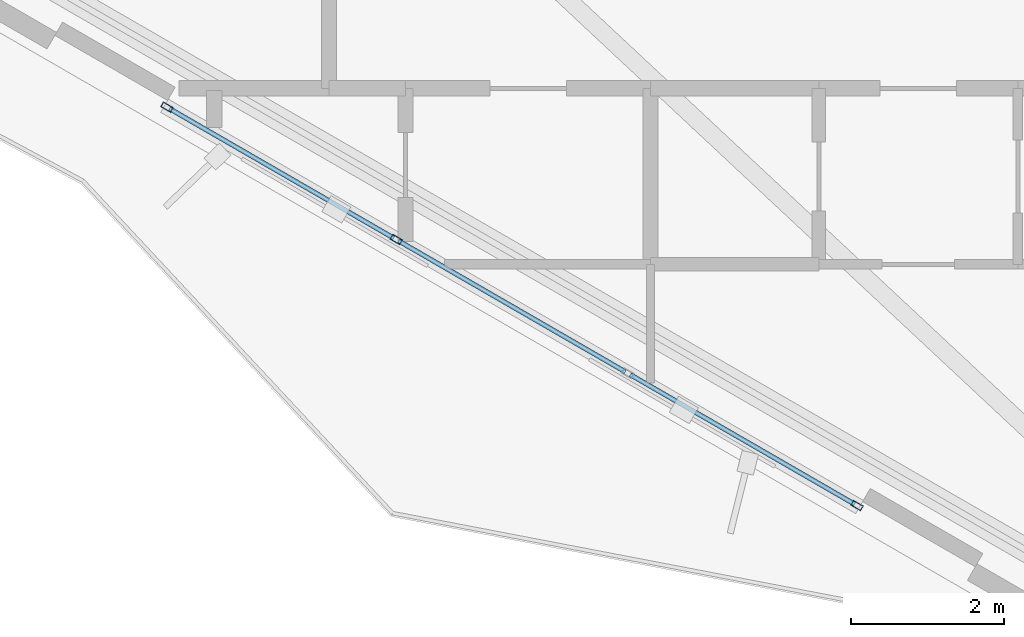
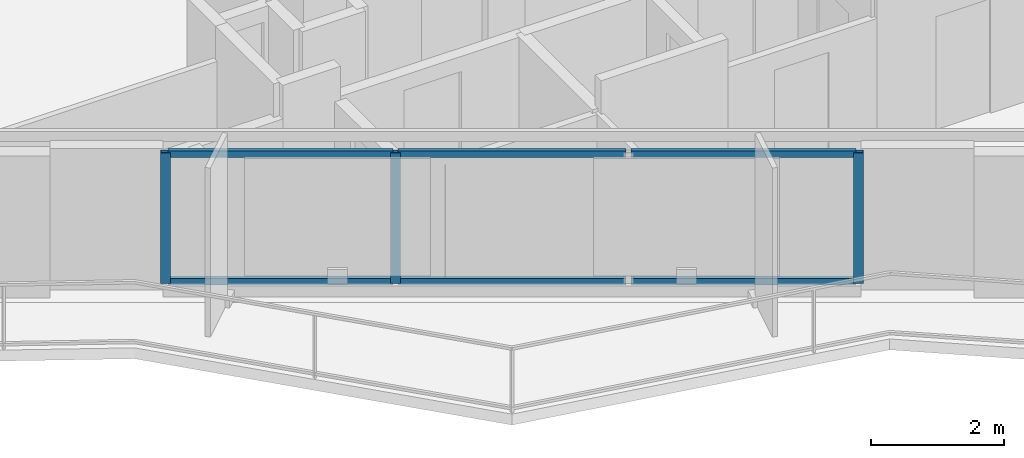
# One storey, part 2 of 18: 9 members, 1 element without a shape of its own.
"""IFC4 building model written with IfcOpenShell, lengths in metres."""

from ifc_helpers import new_model, si_unit, direction, frame, origin, origin_2d, place, context, subcontext, project, spatial, hollow_rectangle, extrude, material, layer, layer_set, material_profile, profile_set, type_object, element, aggregate, save


model = new_model("IFC4")

# Units and contexts
model_context = context("Model", 3, precision=1e-05, world=origin(), true_north=direction((0.0, 1.0)))
body_context = subcontext(model_context, "Body", "Model", "MODEL_VIEW")
ifc_project = project(units=[si_unit("LENGTHUNIT", "METRE"), si_unit("AREAUNIT", "SQUARE_METRE"), si_unit("VOLUMEUNIT", "CUBIC_METRE"), si_unit("PLANEANGLEUNIT", "RADIAN"), si_unit("MASSUNIT", "GRAM", prefix="KILO")], contexts=[model_context])

# Site, building, storey
site_placement = place(None, origin())
site = spatial("IfcSite", under=ifc_project, at=site_placement, CompositionType="ELEMENT")
building_placement = place(site_placement, origin())
building = spatial("IfcBuilding", under=site, at=building_placement, Name="Mersakhor Tower and Convention Hall", CompositionType="ELEMENT")
storey_placement = place(building_placement, frame((0.0, 0.0, 157.5)))
storey = spatial("IfcBuildingStorey", under=building, at=storey_placement, Name="L44", CompositionType="ELEMENT", Elevation=157.5)

# Curtain wall, members
ifc_material_1 = material(Name="Dark solar low-E aluminium curtain wall", Category="aluminium")
ifc_layer = layer(ifc_material_1, 0.169921875)
ifc_layer_set = layer_set([ifc_layer], Name="Dark solar low-E aluminium curtain wall")
curtain_wall_type = type_object("IfcCurtainWallType", Name="CW-SYS-02", PredefinedType="USERDEFINED", material=ifc_layer_set)
curtain_wall_placement = place(storey_placement, origin())
curtain_wall = element("IfcCurtainWall", 1, at=curtain_wall_placement, inside=storey, type_object=curtain_wall_type, Name="L44 Dark-Glass Curtain Wall F3-B2", ObjectType="CURTAIN WALL", PredefinedType="USERDEFINED")
ifc_material_2 = material(Name="Anodised aluminium EN AW-6063 T6", Category="aluminium")
ifc_material_profile_1 = material_profile(ifc_material_2, hollow_rectangle(XDim=0.074951171875, YDim=0.14990234375, WallThickness=0.00634765625, at=origin_2d()), Name="RHS 150x75x6.3")
ifc_profile_set_1 = profile_set([ifc_material_profile_1], Name="Anodised aluminium EN AW-6063 T6")
member_type_1 = type_object("IfcMemberType", Name="CWM-150x75", PredefinedType="MULLION", material=ifc_profile_set_1)
member_1_placement = place(storey_placement, frame((26.8984375, 12.69921875, 0.199951171875), z_axis=(0.0, 0.0, 1.0), x_axis=(-0.499990468363, -0.866030906807, 0.0)))
member_1 = element("IfcMember", 2, at=member_1_placement, type_object=member_type_1, Name="CW-02 mullion 1", PredefinedType="MULLION", context=body_context, shape_type="SweptSolid", body=[
    extrude(hollow_rectangle(XDim=0.074951171875, YDim=0.14990234375, WallThickness=0.00634765625, at=origin_2d()), origin(), (0.0, 0.0, 1.0), 2.400146484375),
])
member_2_placement = place(storey_placement, frame((20.876953125, 16.17578125, 0.199951171875), z_axis=(0.0, 0.0, 1.0), x_axis=(-0.499990468363, -0.866030906807, 0.0)))
member_2 = element("IfcMember", 3, at=member_2_placement, type_object=member_type_1, Name="CW-02 mullion 3", PredefinedType="MULLION", context=body_context, shape_type="SweptSolid", body=[
    extrude(hollow_rectangle(XDim=0.074951171875, YDim=0.14990234375, WallThickness=0.00634765625, at=origin_2d()), origin(), (0.0, 0.0, 1.0), 2.400146484375),
])
member_3_placement = place(storey_placement, frame((17.88232421875, 17.904541015625, 0.199951171875), z_axis=(0.0, 0.0, 1.0), x_axis=(-0.499990468363, -0.866030906807, 0.0)))
member_3 = element("IfcMember", 4, at=member_3_placement, type_object=member_type_1, Name="CW-02 mullion 4", PredefinedType="MULLION", context=body_context, shape_type="SweptSolid", body=[
    extrude(hollow_rectangle(XDim=0.074951171875, YDim=0.14990234375, WallThickness=0.00634765625, at=origin_2d()), origin(), (0.0, 0.0, 1.0), 2.400146484375),
])
ifc_material_3 = material(Name="Anodised aluminium EN AW-6063 T6", Category="aluminium")
ifc_material_profile_2 = material_profile(ifc_material_3, hollow_rectangle(XDim=0.06005859375, YDim=0.1201171875, WallThickness=0.0048828125, at=origin_2d()), Name="RHS 120x60x5")
ifc_profile_set_2 = profile_set([ifc_material_profile_2], Name="Anodised aluminium EN AW-6063 T6")
member_type_2 = type_object("IfcMemberType", Name="CWT-120x60", PredefinedType="USERDEFINED", material=ifc_profile_set_2)
member_4_placement = place(storey_placement, frame((26.865966796875, 12.718017578125, 0.22998046875), z_axis=(-0.866044963944, 0.49996611928, 0.0), x_axis=(-0.49996611928, -0.866044963944, 0.0)))
member_4 = element("IfcMember", 5, at=member_4_placement, type_object=member_type_2, Name="CW-02 transom 1.1", ObjectType="TRANSOM", PredefinedType="USERDEFINED", context=body_context, shape_type="SweptSolid", body=[
    extrude(hollow_rectangle(XDim=0.06005859375, YDim=0.1201171875, WallThickness=0.0048828125, at=origin_2d()), origin(), (0.0, 0.0, 1.0), 3.382568359375),
])
member_5_placement = place(storey_placement, frame((26.865966796875, 12.718017578125, 2.570068359375), z_axis=(-0.866044963944, 0.49996611928, 0.0), x_axis=(-0.49996611928, -0.866044963944, 0.0)))
member_5 = element("IfcMember", 6, at=member_5_placement, type_object=member_type_2, Name="CW-02 transom 1.2", ObjectType="TRANSOM", PredefinedType="USERDEFINED", context=body_context, shape_type="SweptSolid", body=[
    extrude(hollow_rectangle(XDim=0.06005859375, YDim=0.1201171875, WallThickness=0.0048828125, at=origin_2d()), origin(), (0.0, 0.0, 1.0), 3.382568359375),
])
member_6_placement = place(storey_placement, frame((23.871337890625, 14.44677734375, 0.22998046875), z_axis=(-0.866007273829, 0.50003140069, 0.0), x_axis=(-0.50003140069, -0.866007273829, 0.0)))
member_6 = element("IfcMember", 7, at=member_6_placement, type_object=member_type_2, Name="CW-02 transom 2.1", ObjectType="TRANSOM", PredefinedType="USERDEFINED", context=body_context, shape_type="SweptSolid", body=[
    extrude(hollow_rectangle(XDim=0.06005859375, YDim=0.1201171875, WallThickness=0.0048828125, at=origin_2d()), origin(), (0.0, 0.0, 1.0), 3.420166015625),
])
member_7_placement = place(storey_placement, frame((23.871337890625, 14.44677734375, 2.570068359375), z_axis=(-0.866007273829, 0.50003140069, 0.0), x_axis=(-0.50003140069, -0.866007273829, 0.0)))
member_7 = element("IfcMember", 8, at=member_7_placement, type_object=member_type_2, Name="CW-02 transom 2.2", ObjectType="TRANSOM", PredefinedType="USERDEFINED", context=body_context, shape_type="SweptSolid", body=[
    extrude(hollow_rectangle(XDim=0.06005859375, YDim=0.1201171875, WallThickness=0.0048828125, at=origin_2d()), origin(), (0.0, 0.0, 1.0), 3.420166015625),
])
member_8_placement = place(storey_placement, frame((20.844482421875, 16.1943359375, 0.22998046875), z_axis=(-0.866031754707, 0.499988999718, 0.0), x_axis=(-0.499988999718, -0.866031754707, 0.0)))
member_8 = element("IfcMember", 9, at=member_8_placement, type_object=member_type_2, Name="CW-02 transom 3.1", ObjectType="TRANSOM", PredefinedType="USERDEFINED", context=body_context, shape_type="SweptSolid", body=[
    extrude(hollow_rectangle(XDim=0.06005859375, YDim=0.1201171875, WallThickness=0.0048828125, at=origin_2d()), origin(), (0.0, 0.0, 1.0), 3.3828125),
])
member_9_placement = place(storey_placement, frame((20.844482421875, 16.1943359375, 2.570068359375), z_axis=(-0.866031754707, 0.499988999718, 0.0), x_axis=(-0.499988999718, -0.866031754707, 0.0)))
member_9 = element("IfcMember", 10, at=member_9_placement, type_object=member_type_2, Name="CW-02 transom 3.2", ObjectType="TRANSOM", PredefinedType="USERDEFINED", context=body_context, shape_type="SweptSolid", body=[
    extrude(hollow_rectangle(XDim=0.06005859375, YDim=0.1201171875, WallThickness=0.0048828125, at=origin_2d()), origin(), (0.0, 0.0, 1.0), 3.3828125),
])
aggregate(curtain_wall, [member_1, member_2, member_3, member_4, member_5, member_6, member_7, member_8, member_9])

save(model, "model.ifc")
